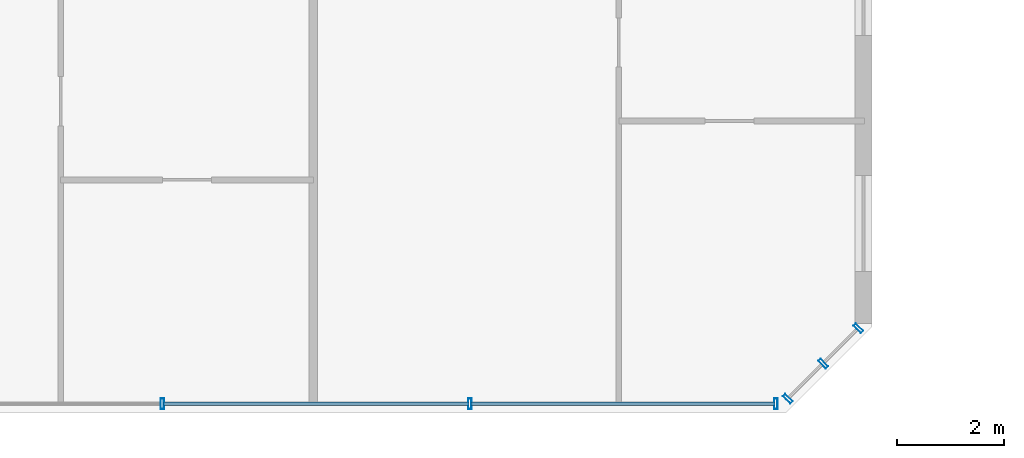
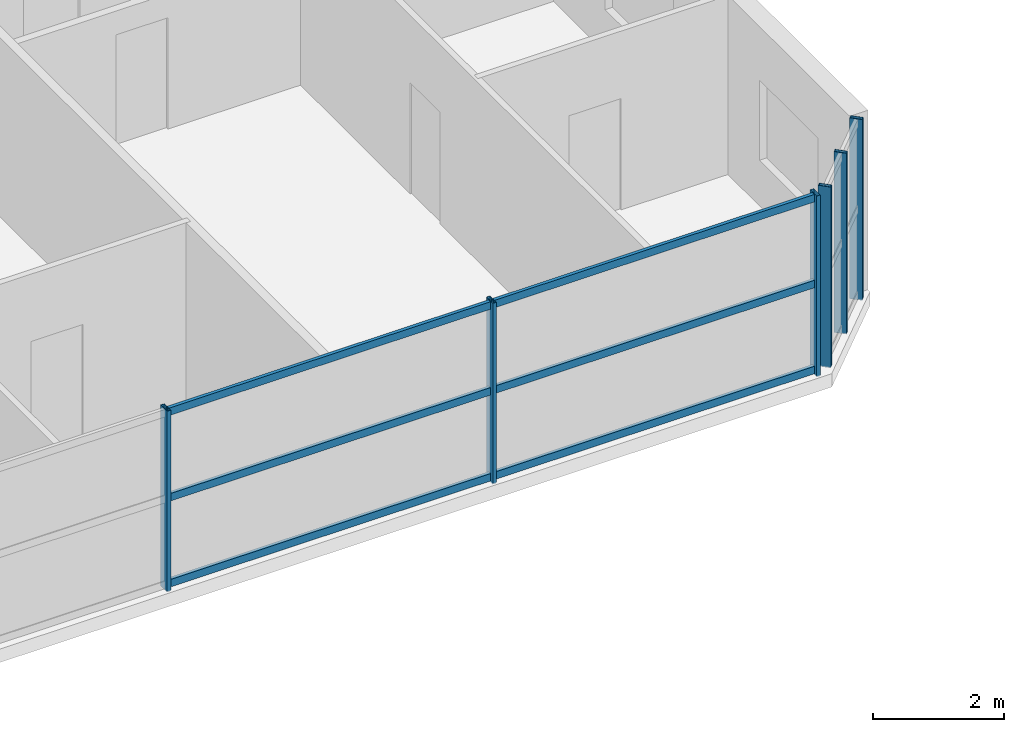
# One storey, part 6 of 20: 12 members, 2 elements without a shape of their own.
"""IFC4 building model written with IfcOpenShell, lengths in metres."""

import ifcopenshell
import ifcopenshell.guid

model = None  # the IFC model being written
_history = None  # IfcOwnerHistory: only IFC2X3 demands one
_inside = {}  # id of a spatial element -> (the spatial element, [elements in it])
_under = {}  # id of a project, library or spatial element -> (it, [spatial elements below it])
_declared = {}  # id of a project -> (the project, [libraries it declares])
_typed = {}  # id of a type object -> (the type object, [elements of that type])
_made_of = {}  # id of a material, layer set ... -> (it, [elements and type objects made of it])


def new_model(schema):
    """Start an empty IFC model of exactly this schema.

    Asked for "IFC4X3", IfcOpenShell would pick the latest addendum, in which some entities
    have other attributes; the version numbers below select the first issue.
    IFC2X3 requires an IfcOwnerHistory on every rooted entity: one is made here for all.
    """
    global model, _history
    if schema == "IFC4X3":
        model = ifcopenshell.file(schema_version=(4, 3, 0, 0))
    else:
        model = ifcopenshell.file(schema=schema)
    _inside.clear()
    _under.clear()
    _declared.clear()
    _typed.clear()
    _made_of.clear()
    _history = None
    if model.schema == "IFC2X3":
        org = make("IfcOrganization", Name="unknown")
        user = make(
            "IfcPersonAndOrganization",
            ThePerson=make("IfcPerson", FamilyName="unknown"),
            TheOrganization=org,
        )
        app = make(
            "IfcApplication",
            ApplicationDeveloper=org,
            Version="unknown",
            ApplicationFullName="unknown",
            ApplicationIdentifier="unknown",
        )
        _history = make(
            "IfcOwnerHistory",
            OwningUser=user,
            OwningApplication=app,
            ChangeAction="ADDED",
            CreationDate=0,
        )
    return model


def make(cls, **values):
    """One entity of the class cls with the attributes given. An attribute that is None is left unset."""
    return model.create_entity(
        cls, **{name: value for name, value in values.items() if value is not None}
    )


def rooted(cls, **values):
    """An entity with a GlobalId (a new one), such as an element, a storey or a relation."""
    return make(cls, GlobalId=ifcopenshell.guid.new(), OwnerHistory=_history, **values)


def si_unit(unit_type, name, prefix=None):
    """IfcSIUnit, for example si_unit("LENGTHUNIT", "METRE", prefix="MILLI")."""
    return make("IfcSIUnit", UnitType=unit_type, Prefix=prefix, Name=name)


def assignment(units):
    """IfcUnitAssignment: the units of a project."""
    return None if units is None else make("IfcUnitAssignment", Units=units)


def point(xyz):
    """IfcCartesianPoint."""
    return None if xyz is None else make("IfcCartesianPoint", Coordinates=xyz)


def direction(xyz):
    """IfcDirection."""
    return None if xyz is None else make("IfcDirection", DirectionRatios=xyz)


def frame(location, z_axis=None, x_axis=None):
    """IfcAxis2Placement3D, a coordinate frame: its origin and axes. An axis left out is left unset."""
    return make(
        "IfcAxis2Placement3D",
        Location=point(location),
        Axis=direction(z_axis),
        RefDirection=direction(x_axis),
    )


def frame_2d(location, x_axis=None):
    """IfcAxis2Placement2D, a coordinate frame in the plane: its origin and x axis."""
    return make(
        "IfcAxis2Placement2D", Location=point(location), RefDirection=direction(x_axis)
    )


def origin():
    """The frame at (0, 0, 0) with its axes left unset."""
    return frame((0.0, 0.0, 0.0))


def origin_2d():
    """The frame at (0, 0) in the plane with its x axis left unset."""
    return frame_2d((0.0, 0.0))


def place(relative_to, where):
    """IfcLocalPlacement: puts the frame where relative to a parent placement (None: the world)."""
    return make(
        "IfcLocalPlacement", PlacementRelTo=relative_to, RelativePlacement=where
    )


def context(
    kind, dimensions, precision=None, world=None, true_north=None, identifier=None
):
    """IfcGeometricRepresentationContext, for example the 3D "Model" context."""
    return make(
        "IfcGeometricRepresentationContext",
        ContextIdentifier=identifier,
        ContextType=kind,
        CoordinateSpaceDimension=dimensions,
        Precision=precision,
        WorldCoordinateSystem=world,
        TrueNorth=true_north,
    )


def subcontext(parent, identifier, kind, view, scale=None):
    """IfcGeometricRepresentationSubContext, for example "Body" below "Model"."""
    return make(
        "IfcGeometricRepresentationSubContext",
        ContextIdentifier=identifier,
        ContextType=kind,
        ParentContext=parent,
        TargetScale=scale,
        TargetView=view,
    )


def project(units=None, contexts=None):
    """IfcProject with its units and contexts."""
    return rooted(
        "IfcProject",
        Name="project",
        RepresentationContexts=contexts,
        UnitsInContext=assignment(units),
    )


def spatial(cls, under=None, at=None, **own):
    """A site, building, storey or space (cls), placed at a placement, below another one or the project."""
    s = rooted(cls, ObjectPlacement=at, **own)
    if under is not None:
        _under.setdefault(under.id(), (under, []))[1].append(s)
    return s


def profile(cls, at=None, kind="AREA", **sizes):
    """A parametric profile (cls). Its sizes go by their IFC names, for example OverallWidth=200.0."""
    return make(cls, ProfileType=kind, Position=at, **sizes)


def hollow_rectangle(**sizes):
    """IfcRectangleHollowProfileDef."""
    return profile("IfcRectangleHollowProfileDef", **sizes)


def extrude(swept, where, along, depth):
    """IfcExtrudedAreaSolid: the profile swept, set in the frame where, extruded along a direction by depth."""
    return make(
        "IfcExtrudedAreaSolid",
        SweptArea=swept,
        Position=where,
        ExtrudedDirection=direction(along),
        Depth=depth,
    )


def shape(context_of_items, identifier, shape_type, items):
    """IfcShapeRepresentation: the items that make up one representation, for example the "Body"."""
    return make(
        "IfcShapeRepresentation",
        ContextOfItems=context_of_items,
        RepresentationIdentifier=identifier,
        RepresentationType=shape_type,
        Items=items,
    )


def source(mapping_origin, context_of_items, identifier, shape_type, items):
    """IfcRepresentationMap: a shape defined once, which mapped items show again and again."""
    return make(
        "IfcRepresentationMap",
        MappingOrigin=mapping_origin,
        MappedRepresentation=shape(context_of_items, identifier, shape_type, items),
    )


def transform(
    local_origin,
    x_axis=None,
    y_axis=None,
    z_axis=None,
    scale=None,
    scale2=None,
    scale3=None,
    uniform=True,
):
    """IfcCartesianTransformationOperator3D, or its non-uniform kind. x_axis, y_axis, z_axis: its Axis1, 2, 3."""
    if uniform:
        return make(
            "IfcCartesianTransformationOperator3D",
            Axis1=direction(x_axis),
            Axis2=direction(y_axis),
            LocalOrigin=point(local_origin),
            Scale=scale,
            Axis3=direction(z_axis),
        )
    return make(
        "IfcCartesianTransformationOperator3DnonUniform",
        Axis1=direction(x_axis),
        Axis2=direction(y_axis),
        LocalOrigin=point(local_origin),
        Scale=scale,
        Axis3=direction(z_axis),
        Scale2=scale2,
        Scale3=scale3,
    )


def mapped(mapping_source, mapping_target):
    """IfcMappedItem: shows the shape of a source again, moved by a transform."""
    return make(
        "IfcMappedItem", MappingSource=mapping_source, MappingTarget=mapping_target
    )


def material(Name=None, Category=None):
    """IfcMaterial."""
    return make("IfcMaterial", Name=Name, Category=Category)


def material_profile(
    of_material, cross_section, Name=None, Category=None, Priority=None
):
    """IfcMaterialProfile: a cross section and its material."""
    return make(
        "IfcMaterialProfile",
        Name=Name,
        Material=of_material,
        Profile=cross_section,
        Priority=Priority,
        Category=Category,
    )


def profile_set(profiles, Name=None, composite=None):
    """IfcMaterialProfileSet."""
    return make(
        "IfcMaterialProfileSet",
        Name=Name,
        MaterialProfiles=profiles,
        CompositeProfile=composite,
    )


def made_of(thing, what):
    """Note that an element or type object is made of a material, layer set ...; save() writes the relation."""
    if what is not None:
        _made_of.setdefault(what.id(), (what, []))[1].append(thing)
    return thing


def type_object(cls, material=None, **own):
    """A type object (cls), such as IfcWallType, which elements share."""
    return made_of(rooted(cls, **own), material)


def element(
    cls,
    number,
    at=None,
    inside=None,
    cuts=None,
    type_object=None,
    material=None,
    context=None,
    identifier="Body",
    shape_type=None,
    held_by="IfcProductDefinitionShape",
    body=None,
    shapes=None,
    **own,
):
    """One element of the class cls, such as IfcWall. Its Tag is "e" and its number.

    at: its placement. inside: the storey or other place that contains it. cuts: it is an
    opening in that element (IfcRelVoidsElement). A single representation is given by context,
    identifier, shape_type and body (its items); several are given by shapes. held_by: the class
    of the entity that holds the representations. save() writes the other relations.
    """
    e = rooted(cls, Tag="e%d" % number, ObjectPlacement=at, **own)
    if body is not None:
        shapes = [shape(context, identifier, shape_type, body)]
    if shapes is not None:
        e.Representation = make(held_by, Representations=shapes)
    if inside is not None:
        _inside.setdefault(inside.id(), (inside, []))[1].append(e)
    if cuts is not None:
        rooted(
            "IfcRelVoidsElement", RelatingBuildingElement=cuts, RelatedOpeningElement=e
        )
    if type_object is not None:
        _typed.setdefault(type_object.id(), (type_object, []))[1].append(e)
    return made_of(e, material)


def aggregate(whole, parts):
    """IfcRelAggregates: a whole, such as a stair, and the parts it consists of."""
    return rooted("IfcRelAggregates", RelatingObject=whole, RelatedObjects=parts)


def save(model, path):
    """Write the relations noted so far, then the file.

    IfcRelAggregates (storeys below a building ...), IfcRelContainedInSpatialStructure (elements
    in a storey), IfcRelDefinesByType, IfcRelAssociatesMaterial and IfcRelDeclares: one each for
    every whole, place, type object, material and project.
    """
    for whole, parts in _under.values():
        aggregate(whole, parts)
    for where, things in _inside.values():
        rooted(
            "IfcRelContainedInSpatialStructure",
            RelatedElements=things,
            RelatingStructure=where,
        )
    for kind, things in _typed.values():
        rooted("IfcRelDefinesByType", RelatedObjects=things, RelatingType=kind)
    for what, things in _made_of.values():
        rooted("IfcRelAssociatesMaterial", RelatedObjects=things, RelatingMaterial=what)
    for by, libraries in _declared.values():
        rooted("IfcRelDeclares", RelatingContext=by, RelatedDefinitions=libraries)
    model.write(path)


model = new_model("IFC4")

# Units and contexts
model_context = context("Model", 3, precision=1e-05, world=origin(), true_north=direction((0.0, 1.0)))
body_context = subcontext(model_context, "Body", "Model", "MODEL_VIEW")
ifc_project = project(units=[si_unit("LENGTHUNIT", "METRE"), si_unit("AREAUNIT", "SQUARE_METRE"), si_unit("VOLUMEUNIT", "CUBIC_METRE"), si_unit("PLANEANGLEUNIT", "RADIAN"), si_unit("MASSUNIT", "GRAM", prefix="KILO")], contexts=[model_context])

# Site, building, storey
site_placement = place(None, origin())
site = spatial("IfcSite", under=ifc_project, at=site_placement, CompositionType="ELEMENT")
building_placement = place(site_placement, origin())
building = spatial("IfcBuilding", under=site, at=building_placement, Name="Tlacorven Tower", CompositionType="ELEMENT")
storey_placement = place(building_placement, frame((0.0, 0.0, 116.10009765625)))
storey = spatial("IfcBuildingStorey", under=building, at=storey_placement, Name="L29", CompositionType="ELEMENT", Elevation=116.10009765625)

# Curtain wall, members
ifc_material_1 = material(Name="Dark solar low-E double glazing in aluminium frame", Category="aluminium")
curtain_wall_type = type_object("IfcCurtainWallType", Name="CW-TWR-MID", PredefinedType="USERDEFINED", material=ifc_material_1)
curtain_wall_1_placement = place(storey_placement, origin())
curtain_wall_1 = element("IfcCurtainWall", 1, at=curtain_wall_1_placement, inside=storey, type_object=curtain_wall_type, Name="L29 CW-TWR-MID Curtain Wall 143", ObjectType="UNITISED CURTAIN WALL", PredefinedType="USERDEFINED")
ifc_material_2 = material(Name="Aluminium 6063-T6 anodised", Category="aluminium")
ifc_material_profile_1 = material_profile(ifc_material_2, hollow_rectangle(XDim=0.06494140625, YDim=0.199951171875, WallThickness=0.00439453125, at=origin_2d()), Name="ALU MULLION 65X200")
ifc_profile_set_1 = profile_set([ifc_material_profile_1], Name="Aluminium 6063-T6 anodised")
member_type_1 = type_object("IfcMemberType", Name="CWM-02", PredefinedType="MULLION", material=ifc_profile_set_1)
shared_shape_1 = source(origin(), body_context, "Body", "SweptSolid", [
    extrude(hollow_rectangle(XDim=0.06494140625, YDim=0.199951171875, WallThickness=0.00439453125, at=origin_2d()), origin(), (0.0, 0.0, 1.0), 3.3798828125),
])
member_1_placement = place(storey_placement, frame((52.146240234375, 3.37255859375, -0.02001953125), z_axis=(0.0, 0.0, 1.0), x_axis=(-0.707106781187, -0.707106781187, 0.0)))
member_1 = element("IfcMember", 2, at=member_1_placement, type_object=member_type_1, Name="CW-L29-143 Mullion 1", PredefinedType="MULLION", context=body_context, shape_type="MappedRepresentation", body=[
    mapped(shared_shape_1, transform((0.0, 0.0, 0.0), scale=1.0)),
])
member_2_placement = place(storey_placement, frame((51.48681640625, 2.713134765625, -0.02001953125), z_axis=(0.0, 0.0, 1.0), x_axis=(-0.707106781187, -0.707106781187, 0.0)))
member_2 = element("IfcMember", 3, at=member_2_placement, type_object=member_type_1, Name="CW-L29-143 Mullion 2", PredefinedType="MULLION", context=body_context, shape_type="MappedRepresentation", body=[
    mapped(shared_shape_1, transform((0.0, 0.0, 0.0), scale=1.0)),
])
member_3_placement = place(storey_placement, frame((50.827392578125, 2.0537109375, -0.02001953125), z_axis=(0.0, 0.0, 1.0), x_axis=(-0.707106781187, -0.707106781187, 0.0)))
member_3 = element("IfcMember", 4, at=member_3_placement, type_object=member_type_1, Name="CW-L29-143 Mullion 3", PredefinedType="MULLION", context=body_context, shape_type="MappedRepresentation", body=[
    mapped(shared_shape_1, transform((0.0, 0.0, 0.0), scale=1.0)),
])
aggregate(curtain_wall_1, [member_1, member_2, member_3])

curtain_wall_2_placement = place(storey_placement, origin())
curtain_wall_2 = element("IfcCurtainWall", 5, at=curtain_wall_2_placement, inside=storey, type_object=curtain_wall_type, Name="L29 CW-TWR-MID Curtain Wall 144", ObjectType="UNITISED CURTAIN WALL", PredefinedType="USERDEFINED")
member_4_placement = place(storey_placement, frame((50.601318359375, 1.9599609375, -0.02001953125), z_axis=(0.0, 0.0, 1.0), x_axis=(-1.0, 0.0, 0.0)))
member_4 = element("IfcMember", 6, at=member_4_placement, type_object=member_type_1, Name="CW-L29-144 Mullion 1", PredefinedType="MULLION", context=body_context, shape_type="MappedRepresentation", body=[
    mapped(shared_shape_1, transform((0.0, 0.0, 0.0), scale=1.0)),
])
member_5_placement = place(storey_placement, frame((44.8779296875, 1.9599609375, -0.02001953125), z_axis=(0.0, 0.0, 1.0), x_axis=(-1.0, 0.0, 0.0)))
member_5 = element("IfcMember", 7, at=member_5_placement, type_object=member_type_1, Name="CW-L29-144 Mullion 2", PredefinedType="MULLION", context=body_context, shape_type="MappedRepresentation", body=[
    mapped(shared_shape_1, transform((0.0, 0.0, 0.0), scale=1.0)),
])
member_6_placement = place(storey_placement, frame((39.1220703125, 1.9599609375, -0.02001953125), z_axis=(0.0, 0.0, 1.0), x_axis=(-1.0, 0.0, 0.0)))
member_6 = element("IfcMember", 8, at=member_6_placement, type_object=member_type_1, Name="CW-L29-144 Mullion 3", PredefinedType="MULLION", context=body_context, shape_type="MappedRepresentation", body=[
    mapped(shared_shape_1, transform((0.0, 0.0, 0.0), scale=1.0)),
])
ifc_material_profile_2 = material_profile(ifc_material_2, hollow_rectangle(XDim=0.06005859375, YDim=0.139892578125, WallThickness=0.00390625, at=origin_2d()), Name="ALU TRANSOM 60X140")
ifc_profile_set_2 = profile_set([ifc_material_profile_2], Name="Aluminium 6063-T6 anodised")
member_type_2 = type_object("IfcMemberType", Name="CWT-02", PredefinedType="USERDEFINED", material=ifc_profile_set_2)
shared_shape_2 = source(origin(), body_context, "Body", "SweptSolid", [
    extrude(hollow_rectangle(XDim=0.06005859375, YDim=0.139892578125, WallThickness=0.00390625, at=origin_2d()), origin(), (0.0, 0.0, 1.0), 5.682373046875),
])
member_7_placement = place(storey_placement, frame((50.580810546875, 1.9599609375, 0.06982421875), z_axis=(-1.0, 0.0, 0.0), x_axis=(0.0, -1.0, 0.0)))
member_7 = element("IfcMember", 9, at=member_7_placement, type_object=member_type_2, Name="CW-L29-144 Transom 1", ObjectType="TRANSOM", PredefinedType="USERDEFINED", context=body_context, shape_type="MappedRepresentation", body=[
    mapped(shared_shape_2, transform((0.0, 0.0, 0.0), scale=1.0)),
])
member_8_placement = place(storey_placement, frame((50.580810546875, 1.9599609375, 1.6748046875), z_axis=(-1.0, 0.0, 0.0), x_axis=(0.0, -1.0, 0.0)))
member_8 = element("IfcMember", 10, at=member_8_placement, type_object=member_type_2, Name="CW-L29-144 Transom 2", ObjectType="TRANSOM", PredefinedType="USERDEFINED", context=body_context, shape_type="MappedRepresentation", body=[
    mapped(shared_shape_2, transform((0.0, 0.0, 0.0), scale=1.0)),
])
member_9_placement = place(storey_placement, frame((50.580810546875, 1.9599609375, 3.27978515625), z_axis=(-1.0, 0.0, 0.0), x_axis=(0.0, -1.0, 0.0)))
member_9 = element("IfcMember", 11, at=member_9_placement, type_object=member_type_2, Name="CW-L29-144 Transom 3", ObjectType="TRANSOM", PredefinedType="USERDEFINED", context=body_context, shape_type="MappedRepresentation", body=[
    mapped(shared_shape_2, transform((0.0, 0.0, 0.0), scale=1.0)),
])
shared_shape_3 = source(origin(), body_context, "Body", "SweptSolid", [
    extrude(hollow_rectangle(XDim=0.06005859375, YDim=0.139892578125, WallThickness=0.00390625, at=origin_2d()), origin(), (0.0, 0.0, 1.0), 5.71484375),
])
member_10_placement = place(storey_placement, frame((44.857421875, 1.9599609375, 0.06982421875), z_axis=(-1.0, 0.0, 0.0), x_axis=(0.0, -1.0, 0.0)))
member_10 = element("IfcMember", 12, at=member_10_placement, type_object=member_type_2, Name="CW-L29-144 Transom 4", ObjectType="TRANSOM", PredefinedType="USERDEFINED", context=body_context, shape_type="MappedRepresentation", body=[
    mapped(shared_shape_3, transform((0.0, 0.0, 0.0), scale=1.0)),
])
member_11_placement = place(storey_placement, frame((44.857421875, 1.9599609375, 1.6748046875), z_axis=(-1.0, 0.0, 0.0), x_axis=(0.0, -1.0, 0.0)))
member_11 = element("IfcMember", 13, at=member_11_placement, type_object=member_type_2, Name="CW-L29-144 Transom 5", ObjectType="TRANSOM", PredefinedType="USERDEFINED", context=body_context, shape_type="MappedRepresentation", body=[
    mapped(shared_shape_3, transform((0.0, 0.0, 0.0), scale=1.0)),
])
member_12_placement = place(storey_placement, frame((44.857421875, 1.9599609375, 3.27978515625), z_axis=(-1.0, 0.0, 0.0), x_axis=(0.0, -1.0, 0.0)))
member_12 = element("IfcMember", 14, at=member_12_placement, type_object=member_type_2, Name="CW-L29-144 Transom 6", ObjectType="TRANSOM", PredefinedType="USERDEFINED", context=body_context, shape_type="MappedRepresentation", body=[
    mapped(shared_shape_3, transform((0.0, 0.0, 0.0), scale=1.0)),
])
aggregate(curtain_wall_2, [member_4, member_5, member_6, member_7, member_8, member_9, member_10, member_11, member_12])

save(model, "model.ifc")
